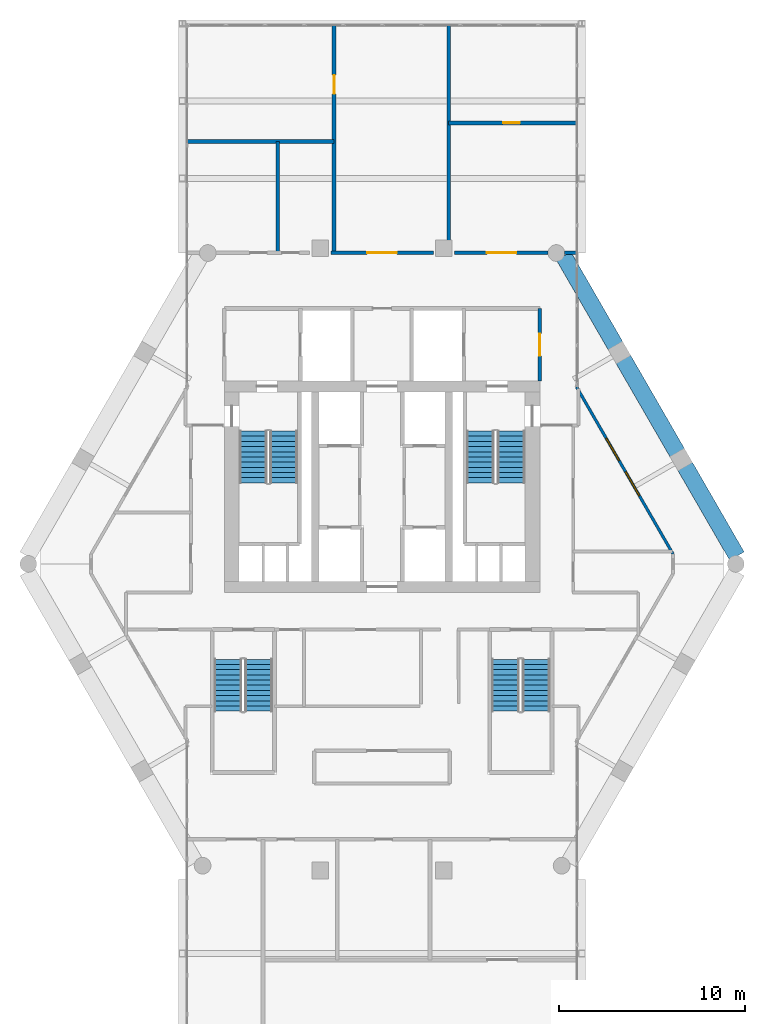
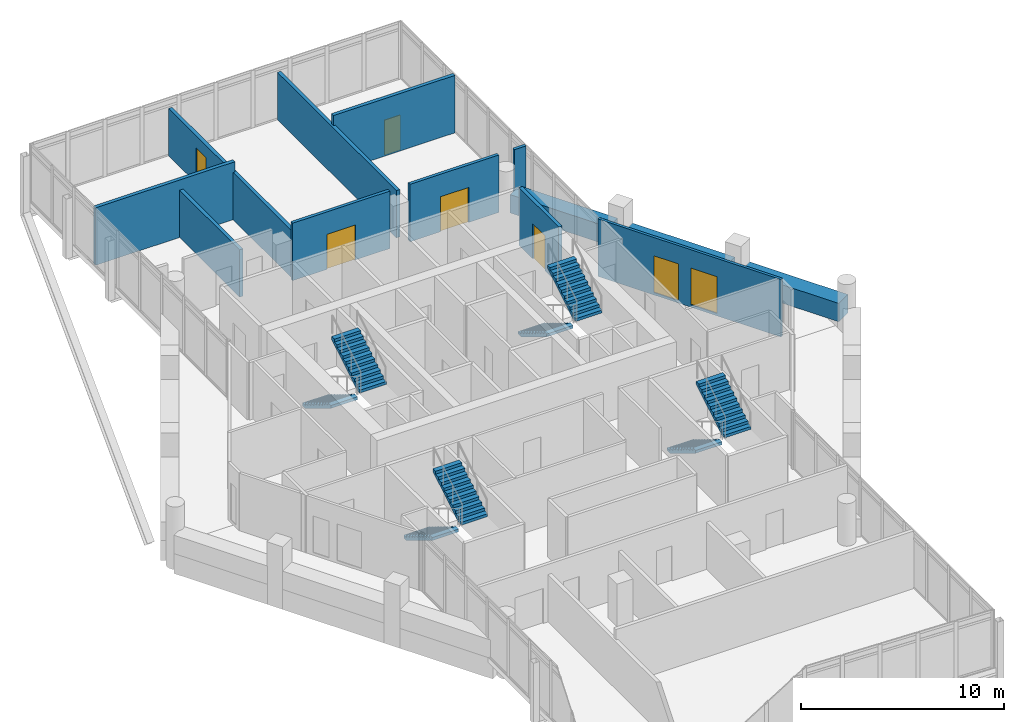
# One storey, part 32 of 34: 13 walls, 8 stair flights, 5 doors, 2 windows, 7 openings, 4 elements without a shape of their own.
"""IFC4 building model written with IfcOpenShell, lengths in metres."""

from ifc_helpers import new_model, si_unit, direction, frame, frame_2d, origin, place, context, subcontext, project, spatial, polyline, rectangle, outline, extrude, material, layer, layer_set, type_object, element, fill, aggregate, save


model = new_model("IFC4")

# Units and contexts
model_context = context("Model", 3, precision=1e-05, world=origin(), true_north=direction((0.0, 1.0)))
body_context = subcontext(model_context, "Body", "Model", "MODEL_VIEW")
ifc_project = project(units=[si_unit("LENGTHUNIT", "METRE"), si_unit("AREAUNIT", "SQUARE_METRE"), si_unit("VOLUMEUNIT", "CUBIC_METRE"), si_unit("PLANEANGLEUNIT", "RADIAN"), si_unit("MASSUNIT", "GRAM", prefix="KILO")], contexts=[model_context])

# Site, building, storey
site_placement = place(None, origin())
site = spatial("IfcSite", under=ifc_project, at=site_placement, CompositionType="ELEMENT")
building_placement = place(site_placement, origin())
building = spatial("IfcBuilding", under=site, at=building_placement, Name="Ostrander Bayou Hotel Tower", CompositionType="ELEMENT")
storey_placement = place(building_placement, frame((0.0, 0.0, 222.0)))
storey = spatial("IfcBuildingStorey", under=building, at=storey_placement, Name="L55", CompositionType="ELEMENT", Elevation=222.0)

# Wall, openings, windows
ifc_material_1 = material(Name="Aluminium framed insulated wall", Category="aluminium")
ifc_layer_1 = layer(ifc_material_1, 0.14990234375)
ifc_layer_set_1 = layer_set([ifc_layer_1], Name="GW1 glass-line wall 150 mm")
wall_type_1 = type_object("IfcWallType", Name="GW1 glass-line wall 150 mm", PredefinedType="SOLIDWALL", material=ifc_layer_set_1)
wall_1_placement = place(storey_placement, frame((15.67724609375, 0.368896484375, 0.0), z_axis=(0.0, 0.0, 1.0), x_axis=(-0.49999822861, 0.866026426494, 0.0)))
wall_1 = element("IfcWall", 1, at=wall_1_placement, inside=storey, type_object=wall_type_1, Name="GW1 L55 NE 1", PredefinedType="SOLIDWALL", context=body_context, shape_type="SweptSolid", body=[
    extrude(rectangle(XDim=10.396484375, YDim=0.14990234375, at=frame_2d((5.1982421875, 0.0))), origin(), (0.0, 0.0, 1.0), 3.449951171875),
])
opening_1_placement = place(wall_1_placement, frame((3.619140625, 0.0, 0.14990234375)))
opening_1 = element("IfcOpeningElement", 2, at=opening_1_placement, cuts=wall_1, Name="Opening W10", PredefinedType="OPENING", context=body_context, shape_type="SweptSolid", body=[
    extrude(rectangle(XDim=1.5, YDim=2.199951171875, at=frame_2d((0.75, 1.10009765625))), frame((0.0, 0.074951171875, 0.0), z_axis=(0.0, -1.0, 0.0), x_axis=(1.0, 0.0, 0.0)), (0.0, 0.0, 1.0), 0.14990234375),
])
opening_2_placement = place(wall_1_placement, frame((5.819091796875, 0.0, 0.14990234375)))
opening_2 = element("IfcOpeningElement", 3, at=opening_2_placement, cuts=wall_1, Name="Opening W14", PredefinedType="OPENING", context=body_context, shape_type="SweptSolid", body=[
    extrude(rectangle(XDim=1.39990234375, YDim=2.199951171875, at=frame_2d((0.699951171875, 1.10009765625))), frame((0.0, 0.074951171875, 0.0), z_axis=(0.0, -1.0, 0.0), x_axis=(1.0, 0.0, 0.0)), (0.0, 0.0, 1.0), 0.14990234375),
])
ifc_material_2 = material(Name="Aluminium and clear glass", Category="aluminium")
window_type_1 = type_object("IfcWindowType", Name="W10 fixed window 1500 mm, bar storeys, zone 4", PartitioningType="SINGLE_PANEL", PredefinedType="WINDOW", material=ifc_material_2)
window_1_placement = place(opening_1_placement, origin())
window_1 = element("IfcWindow", 4, at=window_1_placement, inside=storey, type_object=window_type_1, Name="W10 L55 NE 2", OverallHeight=2.199951171875, OverallWidth=1.5, PartitioningType="SINGLE_PANEL", PredefinedType="WINDOW", context=body_context, shape_type="SweptSolid", body=[
    extrude(rectangle(XDim=1.5, YDim=2.199951171875, at=frame_2d((0.75, 1.10009765625))), frame((0.0, 0.030029296875, 0.0), z_axis=(0.0, -1.0, 0.0), x_axis=(1.0, 0.0, 0.0)), (0.0, 0.0, 1.0), 0.06005859375),
])
fill(opening_1, window_1)
ifc_material_3 = material(Name="Aluminium and clear glass", Category="aluminium")
window_type_2 = type_object("IfcWindowType", Name="W14 fixed window 1400 mm, bath bay, zone 4", PartitioningType="SINGLE_PANEL", PredefinedType="WINDOW", material=ifc_material_3)
window_2_placement = place(opening_2_placement, origin())
window_2 = element("IfcWindow", 5, at=window_2_placement, inside=storey, type_object=window_type_2, Name="W14 L55 NE 2", OverallHeight=2.199951171875, OverallWidth=1.39990234375, PartitioningType="SINGLE_PANEL", PredefinedType="WINDOW", context=body_context, shape_type="SweptSolid", body=[
    extrude(rectangle(XDim=1.39990234375, YDim=2.199951171875, at=frame_2d((0.699951171875, 1.10009765625))), frame((0.0, 0.030029296875, 0.0), z_axis=(0.0, -1.0, 0.0), x_axis=(1.0, 0.0, 0.0)), (0.0, 0.0, 1.0), 0.06005859375),
])
fill(opening_2, window_2)

# Walls
ifc_material_4 = material(Name="Concrete f'c 40 MPa", Category="concrete")
ifc_layer_2 = layer(ifc_material_4, 0.89990234375)
ifc_layer_set_2 = layer_set([ifc_layer_2], Name="PA1 stone-faced parapet 900 mm")
wall_type_2 = type_object("IfcWallType", Name="PA1 stone-faced parapet 900 mm", PredefinedType="PARAPET", material=ifc_layer_set_2)
wall_2_placement = place(storey_placement, frame((19.11865234375, 0.25830078125, 0.0), z_axis=(0.0, 0.0, 1.0), x_axis=(-0.500007442593, 0.866021106759, 0.0)))
element("IfcWall", 6, at=wall_2_placement, inside=storey, type_object=wall_type_2, Name="PA1 L55 NE-1", PredefinedType="PARAPET", context=body_context, shape_type="SweptSolid", body=[
    extrude(rectangle(XDim=5.58642578125, YDim=0.89990234375, at=frame_2d((2.793212890625, 0.0))), origin(), (0.0, 0.0, 1.0), 1.10009765625),
])
wall_3_placement = place(storey_placement, frame((15.905517578125, 5.823486328125, 0.0), z_axis=(0.0, 0.0, 1.0), x_axis=(-0.499997265274, 0.866026982673, 0.0)))
element("IfcWall", 7, at=wall_3_placement, inside=storey, type_object=wall_type_2, Name="PA1 L55 NE-2", PredefinedType="PARAPET", context=body_context, shape_type="SweptSolid", body=[
    extrude(rectangle(XDim=5.81884765625, YDim=0.89990234375, at=frame_2d((2.909423828125, 0.0))), origin(), (0.0, 0.0, 1.0), 1.10009765625),
])
wall_4_placement = place(storey_placement, frame((12.576171875, 11.590087890625, 0.0), z_axis=(0.0, 0.0, 1.0), x_axis=(-0.500007442593, 0.866021106759, 0.0)))
element("IfcWall", 8, at=wall_4_placement, inside=storey, type_object=wall_type_2, Name="PA1 L55 NE-3", PredefinedType="PARAPET", context=body_context, shape_type="SweptSolid", body=[
    extrude(rectangle(XDim=5.58642578125, YDim=0.89990234375, at=frame_2d((2.793212890625, 0.0))), origin(), (0.0, 0.0, 1.0), 1.10009765625),
])
ifc_material_5 = material(Name="Gypsum board partition", Category="finish")
ifc_layer_3 = layer(ifc_material_5, 0.199951171875)
ifc_layer_set_3 = layer_set([ifc_layer_3], Name="PT3 demising wall 200 mm acoustic double stud, 1 hour")
wall_type_3 = type_object("IfcWallType", Name="PT3 demising wall 200 mm acoustic double stud, 1 hour", PredefinedType="PARTITIONING", material=ifc_layer_set_3)
wall_5_placement = place(storey_placement, frame((-10.4931640625, 22.60009765625, 0.0), z_axis=(0.0, 0.0, 1.0), x_axis=(1.0, 0.0, 0.0)))
element("IfcWall", 9, at=wall_5_placement, inside=storey, type_object=wall_type_3, Name="sw:L55:511", PredefinedType="PARTITIONING", context=body_context, shape_type="SweptSolid", body=[
    extrude(rectangle(XDim=7.906005859375, YDim=0.199951171875, at=frame_2d((3.953125, 0.0))), origin(), (0.0, 0.0, 1.0), 3.449951171875),
])

# Wall, opening, door
wall_6_placement = place(storey_placement, frame((3.587158203125, 23.60009765625, 0.0), z_axis=(0.0, 0.0, 1.0), x_axis=(1.0, 0.0, 0.0)))
wall_6 = element("IfcWall", 10, at=wall_6_placement, inside=storey, type_object=wall_type_3, Name="sw:L55:512", PredefinedType="PARTITIONING", context=body_context, shape_type="SweptSolid", body=[
    extrude(rectangle(XDim=6.906005859375, YDim=0.199951171875, at=frame_2d((3.453125, 0.0))), origin(), (0.0, 0.0, 1.0), 3.449951171875),
])
opening_3_placement = place(wall_6_placement, frame((2.93505859375, 0.0, 0.0)))
opening_3 = element("IfcOpeningElement", 11, at=opening_3_placement, cuts=wall_6, Name="Opening T55-1207", PredefinedType="OPENING", context=body_context, shape_type="SweptSolid", body=[
    extrude(rectangle(XDim=0.89990234375, YDim=2.10009765625, at=frame_2d((0.449951171875, 1.050048828125))), frame((0.0, 0.10009765625, 0.0), z_axis=(0.0, -1.0, 0.0), x_axis=(1.0, 0.0, 0.0)), (0.0, 0.0, 1.0), 0.199951171875),
])
ifc_material_6 = material(Name="Timber door leaf", Category="wood")
door_type_1 = type_object("IfcDoorType", Name="D8 room door 900 x 2100 mm", OperationType="SINGLE_SWING_LEFT", PredefinedType="DOOR", material=ifc_material_6)
door_1_placement = place(opening_3_placement, origin())
door_1 = element("IfcDoor", 12, at=door_1_placement, inside=storey, type_object=door_type_1, Name="dr:L55:1207", OperationType="SINGLE_SWING_LEFT", OverallHeight=2.10009765625, OverallWidth=0.89990234375, PredefinedType="DOOR", context=body_context, shape_type="SweptSolid", body=[
    extrude(rectangle(XDim=0.89990234375, YDim=2.10009765625, at=frame_2d((0.449951171875, 1.050048828125))), frame((0.0, 0.02490234375, 0.0), z_axis=(0.0, -1.0, 0.0), x_axis=(1.0, 0.0, 0.0)), (0.0, 0.0, 1.0), 0.050048828125),
])
fill(opening_3, door_1)

# Wall
wall_7_placement = place(storey_placement, frame((-5.626953125, 16.60009765625, 0.0), z_axis=(0.0, 0.0, 1.0), x_axis=(0.0, 1.0, 0.0)))
element("IfcWall", 13, at=wall_7_placement, inside=storey, type_object=wall_type_3, Name="sw:L55:514", PredefinedType="PARTITIONING", context=body_context, shape_type="SweptSolid", body=[
    extrude(rectangle(XDim=6.0, YDim=0.199951171875, at=frame_2d((3.0, 0.0))), origin(), (0.0, 0.0, 1.0), 2.8388671875),
])

# Wall, opening, door
wall_8_placement = place(storey_placement, frame((-2.5869140625, 16.60009765625, 0.0), z_axis=(0.0, 0.0, 1.0), x_axis=(0.0, 1.0, 0.0)))
wall_8 = element("IfcWall", 14, at=wall_8_placement, inside=storey, type_object=wall_type_3, Name="sw:L55:515", PredefinedType="PARTITIONING", context=body_context, shape_type="SweptSolid", body=[
    extrude(rectangle(XDim=12.24755859375, YDim=0.199951171875, at=frame_2d((6.123779296875, 0.0))), origin(), (0.0, 0.0, 1.0), 2.8388671875),
])
opening_4_placement = place(wall_8_placement, frame((8.568359375, 0.0, 0.0)))
opening_4 = element("IfcOpeningElement", 15, at=opening_4_placement, cuts=wall_8, Name="Opening T55-1208", PredefinedType="OPENING", context=body_context, shape_type="SweptSolid", body=[
    extrude(rectangle(XDim=1.0, YDim=2.10009765625, at=frame_2d((0.5, 1.050048828125))), frame((0.0, 0.10009765625, 0.0), z_axis=(0.0, -1.0, 0.0), x_axis=(1.0, 0.0, 0.0)), (0.0, 0.0, 1.0), 0.199951171875),
])
ifc_material_7 = material(Name="Timber door leaf", Category="wood")
door_type_2 = type_object("IfcDoorType", Name="D9 service door 1000 x 2100 mm, 30 minute", OperationType="SINGLE_SWING_LEFT", PredefinedType="DOOR", material=ifc_material_7)
door_2_placement = place(opening_4_placement, origin())
door_2 = element("IfcDoor", 16, at=door_2_placement, inside=storey, type_object=door_type_2, Name="dr:L55:1208", OperationType="SINGLE_SWING_RIGHT", OverallHeight=2.10009765625, OverallWidth=1.0, PredefinedType="DOOR", context=body_context, shape_type="SweptSolid", body=[
    extrude(rectangle(XDim=1.0, YDim=2.10009765625, at=frame_2d((0.5, 1.050048828125))), frame((0.0, 0.02490234375, 0.0), z_axis=(0.0, -1.0, 0.0), x_axis=(1.0, 0.0, 0.0)), (0.0, 0.0, 1.0), 0.050048828125),
])
fill(opening_4, door_2)

# Wall
wall_9_placement = place(storey_placement, frame((3.5869140625, 17.139892578125, 0.0), z_axis=(0.0, 0.0, 1.0), x_axis=(0.0, 1.0, 0.0)))
element("IfcWall", 17, at=wall_9_placement, inside=storey, type_object=wall_type_3, Name="sw:L55:518", PredefinedType="PARTITIONING", context=body_context, shape_type="SweptSolid", body=[
    extrude(rectangle(XDim=11.707763671875, YDim=0.199951171875, at=frame_2d((5.85400390625, 0.0))), origin(), (0.0, 0.0, 1.0), 2.8388671875),
])

# Wall, opening, door
ifc_material_8 = material(Name="Gypsum board partition", Category="finish")
ifc_layer_4 = layer(ifc_material_8, 0.175048828125)
ifc_layer_set_4 = layer_set([ifc_layer_4], Name="PT4 corridor wall 175 mm, 1 hour")
wall_type_4 = type_object("IfcWallType", Name="PT4 corridor wall 175 mm, 1 hour", PredefinedType="PARTITIONING", material=ifc_layer_set_4)
wall_10_placement = place(storey_placement, frame((-2.760009765625, 16.60009765625, 0.0), z_axis=(0.0, 0.0, 1.0), x_axis=(1.0, 0.0, 0.0)))
wall_10 = element("IfcWall", 18, at=wall_10_placement, inside=storey, type_object=wall_type_4, Name="sw:L55:505", PredefinedType="PARTITIONING", context=body_context, shape_type="SweptSolid", body=[
    extrude(rectangle(XDim=5.52001953125, YDim=0.175048828125, at=frame_2d((2.760009765625, 0.0))), origin(), (0.0, 0.0, 1.0), 3.449951171875),
])
opening_5_placement = place(wall_10_placement, frame((1.9599609375, 0.0, 0.0)))
opening_5 = element("IfcOpeningElement", 19, at=opening_5_placement, cuts=wall_10, Name="Opening T55-1211", PredefinedType="OPENING", context=body_context, shape_type="SweptSolid", body=[
    extrude(rectangle(XDim=1.60009765625, YDim=2.10009765625, at=frame_2d((0.800048828125, 1.050048828125))), frame((0.0, 0.08740234375, 0.0), z_axis=(0.0, -1.0, 0.0), x_axis=(1.0, 0.0, 0.0)), (0.0, 0.0, 1.0), 0.175048828125),
])
ifc_material_9 = material(Name="Timber door leaf", Category="wood")
door_type_3 = type_object("IfcDoorType", Name="D13 double door 1600 x 2100 mm, 1 hour", OperationType="SINGLE_SWING_LEFT", PredefinedType="DOOR", material=ifc_material_9)
door_3_placement = place(opening_5_placement, origin())
door_3 = element("IfcDoor", 20, at=door_3_placement, inside=storey, type_object=door_type_3, Name="dr:L55:1211", OperationType="DOUBLE_DOOR_SINGLE_SWING", OverallHeight=2.10009765625, OverallWidth=1.60009765625, PredefinedType="DOOR", context=body_context, shape_type="SweptSolid", body=[
    extrude(rectangle(XDim=1.60009765625, YDim=2.10009765625, at=frame_2d((0.800048828125, 1.050048828125))), frame((0.0, 0.02490234375, 0.0), z_axis=(0.0, -1.0, 0.0), x_axis=(1.0, 0.0, 0.0)), (0.0, 0.0, 1.0), 0.050048828125),
])
fill(opening_5, door_3)

wall_11_placement = place(storey_placement, frame((3.89892578125, 16.60009765625, 0.0), z_axis=(0.0, 0.0, 1.0), x_axis=(1.0, 0.0, 0.0)))
wall_11 = element("IfcWall", 21, at=wall_11_placement, inside=storey, type_object=wall_type_4, Name="sw:L55:506", PredefinedType="PARTITIONING", context=body_context, shape_type="SweptSolid", body=[
    extrude(rectangle(XDim=5.040771484375, YDim=0.175048828125, at=frame_2d((2.5205078125, 0.0))), origin(), (0.0, 0.0, 1.0), 3.449951171875),
])
opening_6_placement = place(wall_11_placement, frame((1.740966796875, 0.0, 0.0)))
opening_6 = element("IfcOpeningElement", 22, at=opening_6_placement, cuts=wall_11, Name="Opening T55-1206", PredefinedType="OPENING", context=body_context, shape_type="SweptSolid", body=[
    extrude(rectangle(XDim=1.60009765625, YDim=2.10009765625, at=frame_2d((0.800048828125, 1.050048828125))), frame((0.0, 0.08740234375, 0.0), z_axis=(0.0, -1.0, 0.0), x_axis=(1.0, 0.0, 0.0)), (0.0, 0.0, 1.0), 0.175048828125),
])
door_4_placement = place(opening_6_placement, origin())
door_4 = element("IfcDoor", 23, at=door_4_placement, inside=storey, type_object=door_type_3, Name="dr:L55:1206", OperationType="DOUBLE_DOOR_SINGLE_SWING", OverallHeight=2.10009765625, OverallWidth=1.60009765625, PredefinedType="DOOR", context=body_context, shape_type="SweptSolid", body=[
    extrude(rectangle(XDim=1.60009765625, YDim=2.10009765625, at=frame_2d((0.800048828125, 1.050048828125))), frame((0.0, 0.02490234375, 0.0), z_axis=(0.0, -1.0, 0.0), x_axis=(1.0, 0.0, 0.0)), (0.0, 0.0, 1.0), 0.050048828125),
])
fill(opening_6, door_4)

# Wall
wall_12_placement = place(storey_placement, frame((9.83740234375, 16.60009765625, 0.0), z_axis=(0.0, 0.0, 1.0), x_axis=(1.0, 0.0, 0.0)))
element("IfcWall", 24, at=wall_12_placement, inside=storey, type_object=wall_type_4, Name="sw:L55:507", PredefinedType="PARTITIONING", context=body_context, shape_type="SweptSolid", body=[
    extrude(rectangle(XDim=0.65576171875, YDim=0.175048828125, at=frame_2d((0.327880859375, 0.0))), origin(), (0.0, 0.0, 1.0), 3.449951171875),
])

# Wall, opening, door
ifc_material_10 = material(Name="Masonry block", Category="masonry")
ifc_layer_5 = layer(ifc_material_10, 0.199951171875)
ifc_layer_set_5 = layer_set([ifc_layer_5], Name="PT5 stair enclosure wall 200 mm masonry, 2 hour")
wall_type_5 = type_object("IfcWallType", Name="PT5 stair enclosure wall 200 mm masonry, 2 hour", PredefinedType="PARTITIONING", material=ifc_layer_set_5)
wall_13_placement = place(storey_placement, frame((8.5, 9.699951171875, 0.0), z_axis=(0.0, 0.0, 1.0), x_axis=(0.0, 1.0, 0.0)))
wall_13 = element("IfcWall", 25, at=wall_13_placement, inside=storey, type_object=wall_type_5, Name="cs:L55:027", PredefinedType="PARTITIONING", context=body_context, shape_type="SweptSolid", body=[
    extrude(rectangle(XDim=3.900146484375, YDim=0.199951171875, at=frame_2d((1.9501953125, 0.0))), origin(), (0.0, 0.0, 1.0), 3.449951171875),
])
opening_7_placement = place(wall_13_placement, frame((1.35009765625, 0.0, 0.0)))
opening_7 = element("IfcOpeningElement", 26, at=opening_7_placement, cuts=wall_13, Name="Opening T55-016", PredefinedType="OPENING", context=body_context, shape_type="SweptSolid", body=[
    extrude(rectangle(XDim=1.199951171875, YDim=2.10009765625, at=frame_2d((0.60009765625, 1.050048828125))), frame((0.0, 0.10009765625, 0.0), z_axis=(0.0, -1.0, 0.0), x_axis=(1.0, 0.0, 0.0)), (0.0, 0.0, 1.0), 0.199951171875),
])
ifc_material_11 = material(Name="Timber door leaf", Category="wood")
door_type_4 = type_object("IfcDoorType", Name="D7 lobby door 1200 x 2100 mm, 1 hour", OperationType="SINGLE_SWING_LEFT", PredefinedType="DOOR", material=ifc_material_11)
door_5_placement = place(opening_7_placement, origin())
door_5 = element("IfcDoor", 27, at=door_5_placement, inside=storey, type_object=door_type_4, Name="dr:L55:016", OperationType="SINGLE_SWING_LEFT", OverallHeight=2.10009765625, OverallWidth=1.199951171875, PredefinedType="DOOR", context=body_context, shape_type="SweptSolid", body=[
    extrude(rectangle(XDim=1.199951171875, YDim=2.10009765625, at=frame_2d((0.60009765625, 1.050048828125))), frame((0.0, 0.02490234375, 0.0), z_axis=(0.0, -1.0, 0.0), x_axis=(1.0, 0.0, 0.0)), (0.0, 0.0, 1.0), 0.050048828125),
])
fill(opening_7, door_5)

# Stair, stair flights
ifc_material_12 = material(Name="Concrete f'c 45 MPa", Category="concrete")
stair_type = type_object("IfcStairType", Name="ST1 exit stair 1500 mm f'c 45 MPa", PredefinedType="HALF_TURN_STAIR", material=ifc_material_12)
stair_1_placement = place(storey_placement, origin())
stair_1 = element("IfcStair", 28, at=stair_1_placement, inside=storey, type_object=stair_type, Name="L55 exit stair A", PredefinedType="HALF_TURN_STAIR")
ifc_material_13 = material(Name="Concrete f'c 45 MPa", Category="concrete")
stair_flight_type = type_object("IfcStairFlightType", Name="SF1 stair flight 1500 mm f'c 45 MPa", PredefinedType="STRAIGHT", material=ifc_material_13)
stair_flight_1_placement = place(storey_placement, frame((-6.949951171875, 7.0, 0.0), z_axis=(0.0, 0.0, 1.0), x_axis=(0.0, -1.0, 0.0)))
stair_flight_1 = element("IfcStairFlight", 29, at=stair_flight_1_placement, type_object=stair_flight_type, Name="STA flight 1", NumberOfRisers=11, NumberOfTreads=10, PredefinedType="STRAIGHT", RiserHeight=0.170454545, TreadLength=0.28, context=body_context, shape_type="SweptSolid", body=[
    extrude(outline(polyline([(0.0, 0.0), (0.0, 0.17041015625), (0.280029296875, 0.17041015625), (0.280029296875, 0.3408203125), (0.56005859375, 0.3408203125), (0.56005859375, 0.511474609375), (0.840087890625, 0.511474609375), (0.840087890625, 0.681884765625), (1.1201171875, 0.681884765625), (1.1201171875, 0.852294921875), (1.39990234375, 0.852294921875), (1.39990234375, 1.022705078125), (1.679931640625, 1.022705078125), (1.679931640625, 1.193115234375), (1.9599609375, 1.193115234375), (1.9599609375, 1.363525390625), (2.239990234375, 1.363525390625), (2.239990234375, 1.5341796875), (2.52001953125, 1.5341796875), (2.52001953125, 1.70458984375), (2.800048828125, 1.70458984375), (2.800048828125, 1.875), (2.800048828125, 1.529052734375), (0.288330078125, 0.0), (0.0, 0.0)])), frame((0.0, 0.75, 0.0), z_axis=(0.0, -1.0, 0.0), x_axis=(1.0, 0.0, 0.0)), (0.0, 0.0, 1.0), 1.5),
])
stair_flight_2_placement = place(storey_placement, frame((-5.300048828125, 4.199951171875, 1.875), z_axis=(0.0, 0.0, 1.0), x_axis=(0.0, 1.0, 0.0)))
stair_flight_2 = element("IfcStairFlight", 30, at=stair_flight_2_placement, type_object=stair_flight_type, Name="STA flight 2", NumberOfRisers=11, NumberOfTreads=10, PredefinedType="STRAIGHT", RiserHeight=0.170454545, TreadLength=0.28, context=body_context, shape_type="SweptSolid", body=[
    extrude(outline(polyline([(0.0, 0.0), (0.0, 0.17041015625), (0.280029296875, 0.17041015625), (0.280029296875, 0.3408203125), (0.56005859375, 0.3408203125), (0.56005859375, 0.511474609375), (0.840087890625, 0.511474609375), (0.840087890625, 0.681884765625), (1.1201171875, 0.681884765625), (1.1201171875, 0.852294921875), (1.39990234375, 0.852294921875), (1.39990234375, 1.022705078125), (1.679931640625, 1.022705078125), (1.679931640625, 1.193115234375), (1.9599609375, 1.193115234375), (1.9599609375, 1.363525390625), (2.239990234375, 1.363525390625), (2.239990234375, 1.5341796875), (2.52001953125, 1.5341796875), (2.52001953125, 1.70458984375), (2.800048828125, 1.70458984375), (2.800048828125, 1.875), (2.800048828125, 1.529052734375), (0.288330078125, 0.0), (0.0, 0.0)])), frame((0.0, 0.75, 0.0), z_axis=(0.0, -1.0, 0.0), x_axis=(1.0, 0.0, 0.0)), (0.0, 0.0, 1.0), 1.5),
])
aggregate(stair_1, [stair_flight_1, stair_flight_2])

stair_2_placement = place(storey_placement, origin())
stair_2 = element("IfcStair", 31, at=stair_2_placement, inside=storey, type_object=stair_type, Name="L55 exit stair B", PredefinedType="HALF_TURN_STAIR")
stair_flight_3_placement = place(storey_placement, frame((5.300048828125, 7.0, 0.0), z_axis=(0.0, 0.0, 1.0), x_axis=(0.0, -1.0, 0.0)))
stair_flight_3 = element("IfcStairFlight", 32, at=stair_flight_3_placement, type_object=stair_flight_type, Name="STB flight 1", NumberOfRisers=11, NumberOfTreads=10, PredefinedType="STRAIGHT", RiserHeight=0.170454545, TreadLength=0.28, context=body_context, shape_type="SweptSolid", body=[
    extrude(outline(polyline([(0.0, 0.0), (0.0, 0.17041015625), (0.280029296875, 0.17041015625), (0.280029296875, 0.3408203125), (0.56005859375, 0.3408203125), (0.56005859375, 0.511474609375), (0.840087890625, 0.511474609375), (0.840087890625, 0.681884765625), (1.1201171875, 0.681884765625), (1.1201171875, 0.852294921875), (1.39990234375, 0.852294921875), (1.39990234375, 1.022705078125), (1.679931640625, 1.022705078125), (1.679931640625, 1.193115234375), (1.9599609375, 1.193115234375), (1.9599609375, 1.363525390625), (2.239990234375, 1.363525390625), (2.239990234375, 1.5341796875), (2.52001953125, 1.5341796875), (2.52001953125, 1.70458984375), (2.800048828125, 1.70458984375), (2.800048828125, 1.875), (2.800048828125, 1.529052734375), (0.288330078125, 0.0), (0.0, 0.0)])), frame((0.0, 0.75, 0.0), z_axis=(0.0, -1.0, 0.0), x_axis=(1.0, 0.0, 0.0)), (0.0, 0.0, 1.0), 1.5),
])
stair_flight_4_placement = place(storey_placement, frame((6.949951171875, 4.199951171875, 1.875), z_axis=(0.0, 0.0, 1.0), x_axis=(0.0, 1.0, 0.0)))
stair_flight_4 = element("IfcStairFlight", 33, at=stair_flight_4_placement, type_object=stair_flight_type, Name="STB flight 2", NumberOfRisers=11, NumberOfTreads=10, PredefinedType="STRAIGHT", RiserHeight=0.170454545, TreadLength=0.28, context=body_context, shape_type="SweptSolid", body=[
    extrude(outline(polyline([(0.0, 0.0), (0.0, 0.17041015625), (0.280029296875, 0.17041015625), (0.280029296875, 0.3408203125), (0.56005859375, 0.3408203125), (0.56005859375, 0.511474609375), (0.840087890625, 0.511474609375), (0.840087890625, 0.681884765625), (1.1201171875, 0.681884765625), (1.1201171875, 0.852294921875), (1.39990234375, 0.852294921875), (1.39990234375, 1.022705078125), (1.679931640625, 1.022705078125), (1.679931640625, 1.193115234375), (1.9599609375, 1.193115234375), (1.9599609375, 1.363525390625), (2.239990234375, 1.363525390625), (2.239990234375, 1.5341796875), (2.52001953125, 1.5341796875), (2.52001953125, 1.70458984375), (2.800048828125, 1.70458984375), (2.800048828125, 1.875), (2.800048828125, 1.529052734375), (0.288330078125, 0.0), (0.0, 0.0)])), frame((0.0, 0.75, 0.0), z_axis=(0.0, -1.0, 0.0), x_axis=(1.0, 0.0, 0.0)), (0.0, 0.0, 1.0), 1.5),
])
aggregate(stair_2, [stair_flight_3, stair_flight_4])

stair_3_placement = place(storey_placement, origin())
stair_3 = element("IfcStair", 34, at=stair_3_placement, inside=storey, type_object=stair_type, Name="L55 exit stair C", PredefinedType="HALF_TURN_STAIR")
stair_flight_5_placement = place(storey_placement, frame((6.64990234375, -5.300048828125, 0.0), z_axis=(0.0, 0.0, 1.0), x_axis=(0.0, -1.0, 0.0)))
stair_flight_5 = element("IfcStairFlight", 35, at=stair_flight_5_placement, type_object=stair_flight_type, Name="STC flight 1", NumberOfRisers=11, NumberOfTreads=10, PredefinedType="STRAIGHT", RiserHeight=0.170454545, TreadLength=0.28, context=body_context, shape_type="SweptSolid", body=[
    extrude(outline(polyline([(0.0, 0.0), (0.0, 0.17041015625), (0.280029296875, 0.17041015625), (0.280029296875, 0.3408203125), (0.56005859375, 0.3408203125), (0.56005859375, 0.511474609375), (0.840087890625, 0.511474609375), (0.840087890625, 0.681884765625), (1.1201171875, 0.681884765625), (1.1201171875, 0.852294921875), (1.39990234375, 0.852294921875), (1.39990234375, 1.022705078125), (1.679931640625, 1.022705078125), (1.679931640625, 1.193115234375), (1.9599609375, 1.193115234375), (1.9599609375, 1.363525390625), (2.239990234375, 1.363525390625), (2.239990234375, 1.5341796875), (2.52001953125, 1.5341796875), (2.52001953125, 1.70458984375), (2.800048828125, 1.70458984375), (2.800048828125, 1.875), (2.800048828125, 1.529052734375), (0.288330078125, 0.0), (0.0, 0.0)])), frame((0.0, 0.75, 0.0), z_axis=(0.0, -1.0, 0.0), x_axis=(1.0, 0.0, 0.0)), (0.0, 0.0, 1.0), 1.5),
])
stair_flight_6_placement = place(storey_placement, frame((8.300048828125, -8.10009765625, 1.875), z_axis=(0.0, 0.0, 1.0), x_axis=(0.0, 1.0, 0.0)))
stair_flight_6 = element("IfcStairFlight", 36, at=stair_flight_6_placement, type_object=stair_flight_type, Name="STC flight 2", NumberOfRisers=11, NumberOfTreads=10, PredefinedType="STRAIGHT", RiserHeight=0.170454545, TreadLength=0.28, context=body_context, shape_type="SweptSolid", body=[
    extrude(outline(polyline([(0.0, 0.0), (0.0, 0.17041015625), (0.280029296875, 0.17041015625), (0.280029296875, 0.3408203125), (0.56005859375, 0.3408203125), (0.56005859375, 0.511474609375), (0.840087890625, 0.511474609375), (0.840087890625, 0.681884765625), (1.1201171875, 0.681884765625), (1.1201171875, 0.852294921875), (1.39990234375, 0.852294921875), (1.39990234375, 1.022705078125), (1.679931640625, 1.022705078125), (1.679931640625, 1.193115234375), (1.9599609375, 1.193115234375), (1.9599609375, 1.363525390625), (2.239990234375, 1.363525390625), (2.239990234375, 1.5341796875), (2.52001953125, 1.5341796875), (2.52001953125, 1.70458984375), (2.800048828125, 1.70458984375), (2.800048828125, 1.875), (2.800048828125, 1.529052734375), (0.288330078125, 0.0), (0.0, 0.0)])), frame((0.0, 0.75, 0.0), z_axis=(0.0, -1.0, 0.0), x_axis=(1.0, 0.0, 0.0)), (0.0, 0.0, 1.0), 1.5),
])
aggregate(stair_3, [stair_flight_5, stair_flight_6])

stair_4_placement = place(storey_placement, origin())
stair_4 = element("IfcStair", 37, at=stair_4_placement, inside=storey, type_object=stair_type, Name="L55 exit stair D", PredefinedType="HALF_TURN_STAIR")
stair_flight_7_placement = place(storey_placement, frame((-8.300048828125, -5.300048828125, 0.0), z_axis=(0.0, 0.0, 1.0), x_axis=(0.0, -1.0, 0.0)))
stair_flight_7 = element("IfcStairFlight", 38, at=stair_flight_7_placement, type_object=stair_flight_type, Name="STD flight 1", NumberOfRisers=11, NumberOfTreads=10, PredefinedType="STRAIGHT", RiserHeight=0.170454545, TreadLength=0.28, context=body_context, shape_type="SweptSolid", body=[
    extrude(outline(polyline([(0.0, 0.0), (0.0, 0.17041015625), (0.280029296875, 0.17041015625), (0.280029296875, 0.3408203125), (0.56005859375, 0.3408203125), (0.56005859375, 0.511474609375), (0.840087890625, 0.511474609375), (0.840087890625, 0.681884765625), (1.1201171875, 0.681884765625), (1.1201171875, 0.852294921875), (1.39990234375, 0.852294921875), (1.39990234375, 1.022705078125), (1.679931640625, 1.022705078125), (1.679931640625, 1.193115234375), (1.9599609375, 1.193115234375), (1.9599609375, 1.363525390625), (2.239990234375, 1.363525390625), (2.239990234375, 1.5341796875), (2.52001953125, 1.5341796875), (2.52001953125, 1.70458984375), (2.800048828125, 1.70458984375), (2.800048828125, 1.875), (2.800048828125, 1.529052734375), (0.288330078125, 0.0), (0.0, 0.0)])), frame((0.0, 0.75, 0.0), z_axis=(0.0, -1.0, 0.0), x_axis=(1.0, 0.0, 0.0)), (0.0, 0.0, 1.0), 1.5),
])
stair_flight_8_placement = place(storey_placement, frame((-6.64990234375, -8.10009765625, 1.875), z_axis=(0.0, 0.0, 1.0), x_axis=(0.0, 1.0, 0.0)))
stair_flight_8 = element("IfcStairFlight", 39, at=stair_flight_8_placement, type_object=stair_flight_type, Name="STD flight 2", NumberOfRisers=11, NumberOfTreads=10, PredefinedType="STRAIGHT", RiserHeight=0.170454545, TreadLength=0.28, context=body_context, shape_type="SweptSolid", body=[
    extrude(outline(polyline([(0.0, 0.0), (0.0, 0.17041015625), (0.280029296875, 0.17041015625), (0.280029296875, 0.3408203125), (0.56005859375, 0.3408203125), (0.56005859375, 0.511474609375), (0.840087890625, 0.511474609375), (0.840087890625, 0.681884765625), (1.1201171875, 0.681884765625), (1.1201171875, 0.852294921875), (1.39990234375, 0.852294921875), (1.39990234375, 1.022705078125), (1.679931640625, 1.022705078125), (1.679931640625, 1.193115234375), (1.9599609375, 1.193115234375), (1.9599609375, 1.363525390625), (2.239990234375, 1.363525390625), (2.239990234375, 1.5341796875), (2.52001953125, 1.5341796875), (2.52001953125, 1.70458984375), (2.800048828125, 1.70458984375), (2.800048828125, 1.875), (2.800048828125, 1.529052734375), (0.288330078125, 0.0), (0.0, 0.0)])), frame((0.0, 0.75, 0.0), z_axis=(0.0, -1.0, 0.0), x_axis=(1.0, 0.0, 0.0)), (0.0, 0.0, 1.0), 1.5),
])
aggregate(stair_4, [stair_flight_7, stair_flight_8])

save(model, "model.ifc")
